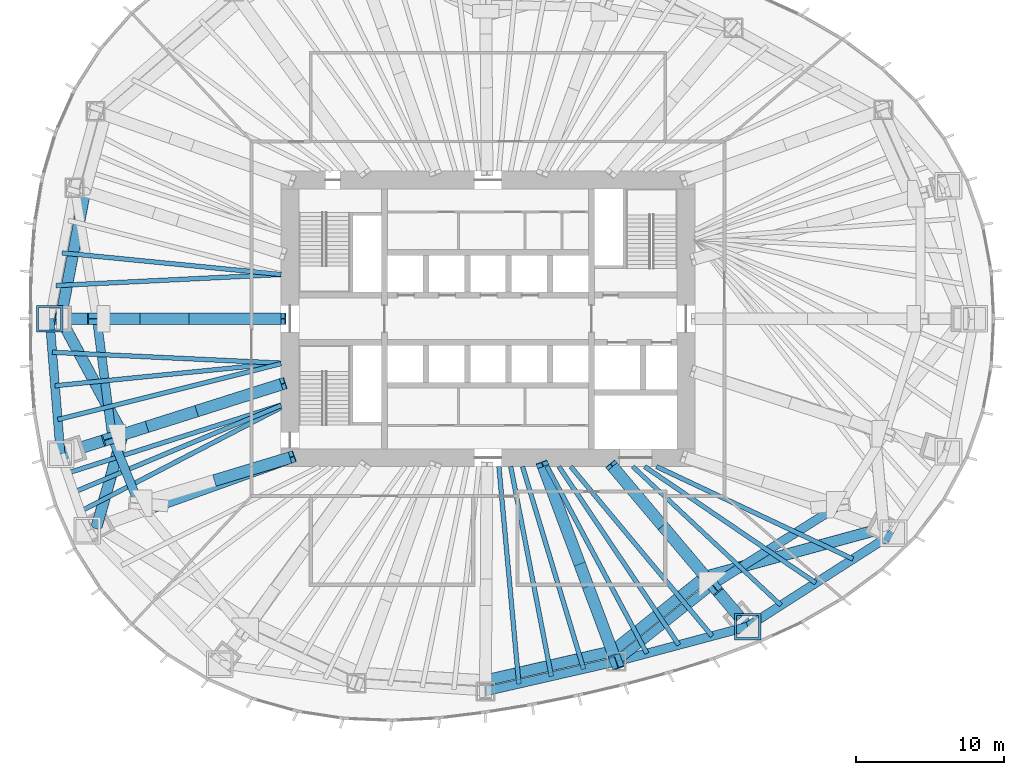
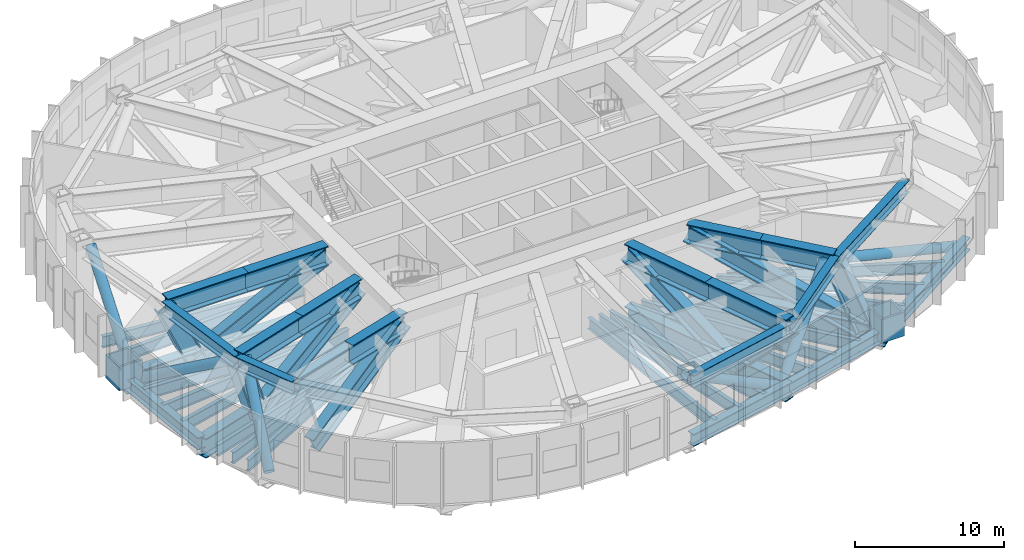
# One storey, part 2 of 12: 35 members, 21 beams.
"""IFC4 building model written with IfcOpenShell, lengths in metres."""

import ifcopenshell
import ifcopenshell.guid

model = None  # the IFC model being written
_history = None  # IfcOwnerHistory: only IFC2X3 demands one
_inside = {}  # id of a spatial element -> (the spatial element, [elements in it])
_under = {}  # id of a project, library or spatial element -> (it, [spatial elements below it])
_declared = {}  # id of a project -> (the project, [libraries it declares])
_typed = {}  # id of a type object -> (the type object, [elements of that type])
_made_of = {}  # id of a material, layer set ... -> (it, [elements and type objects made of it])


def new_model(schema):
    """Start an empty IFC model of exactly this schema.

    Asked for "IFC4X3", IfcOpenShell would pick the latest addendum, in which some entities
    have other attributes; the version numbers below select the first issue.
    IFC2X3 requires an IfcOwnerHistory on every rooted entity: one is made here for all.
    """
    global model, _history
    if schema == "IFC4X3":
        model = ifcopenshell.file(schema_version=(4, 3, 0, 0))
    else:
        model = ifcopenshell.file(schema=schema)
    _inside.clear()
    _under.clear()
    _declared.clear()
    _typed.clear()
    _made_of.clear()
    _history = None
    if model.schema == "IFC2X3":
        org = make("IfcOrganization", Name="unknown")
        user = make(
            "IfcPersonAndOrganization",
            ThePerson=make("IfcPerson", FamilyName="unknown"),
            TheOrganization=org,
        )
        app = make(
            "IfcApplication",
            ApplicationDeveloper=org,
            Version="unknown",
            ApplicationFullName="unknown",
            ApplicationIdentifier="unknown",
        )
        _history = make(
            "IfcOwnerHistory",
            OwningUser=user,
            OwningApplication=app,
            ChangeAction="ADDED",
            CreationDate=0,
        )
    return model


def make(cls, **values):
    """One entity of the class cls with the attributes given. An attribute that is None is left unset."""
    return model.create_entity(
        cls, **{name: value for name, value in values.items() if value is not None}
    )


def rooted(cls, **values):
    """An entity with a GlobalId (a new one), such as an element, a storey or a relation."""
    return make(cls, GlobalId=ifcopenshell.guid.new(), OwnerHistory=_history, **values)


def si_unit(unit_type, name, prefix=None):
    """IfcSIUnit, for example si_unit("LENGTHUNIT", "METRE", prefix="MILLI")."""
    return make("IfcSIUnit", UnitType=unit_type, Prefix=prefix, Name=name)


def assignment(units):
    """IfcUnitAssignment: the units of a project."""
    return None if units is None else make("IfcUnitAssignment", Units=units)


def point(xyz):
    """IfcCartesianPoint."""
    return None if xyz is None else make("IfcCartesianPoint", Coordinates=xyz)


def direction(xyz):
    """IfcDirection."""
    return None if xyz is None else make("IfcDirection", DirectionRatios=xyz)


def frame(location, z_axis=None, x_axis=None):
    """IfcAxis2Placement3D, a coordinate frame: its origin and axes. An axis left out is left unset."""
    return make(
        "IfcAxis2Placement3D",
        Location=point(location),
        Axis=direction(z_axis),
        RefDirection=direction(x_axis),
    )


def frame_2d(location, x_axis=None):
    """IfcAxis2Placement2D, a coordinate frame in the plane: its origin and x axis."""
    return make(
        "IfcAxis2Placement2D", Location=point(location), RefDirection=direction(x_axis)
    )


def origin():
    """The frame at (0, 0, 0) with its axes left unset."""
    return frame((0.0, 0.0, 0.0))


def origin_2d():
    """The frame at (0, 0) in the plane with its x axis left unset."""
    return frame_2d((0.0, 0.0))


def place(relative_to, where):
    """IfcLocalPlacement: puts the frame where relative to a parent placement (None: the world)."""
    return make(
        "IfcLocalPlacement", PlacementRelTo=relative_to, RelativePlacement=where
    )


def context(
    kind, dimensions, precision=None, world=None, true_north=None, identifier=None
):
    """IfcGeometricRepresentationContext, for example the 3D "Model" context."""
    return make(
        "IfcGeometricRepresentationContext",
        ContextIdentifier=identifier,
        ContextType=kind,
        CoordinateSpaceDimension=dimensions,
        Precision=precision,
        WorldCoordinateSystem=world,
        TrueNorth=true_north,
    )


def subcontext(parent, identifier, kind, view, scale=None):
    """IfcGeometricRepresentationSubContext, for example "Body" below "Model"."""
    return make(
        "IfcGeometricRepresentationSubContext",
        ContextIdentifier=identifier,
        ContextType=kind,
        ParentContext=parent,
        TargetScale=scale,
        TargetView=view,
    )


def project(units=None, contexts=None):
    """IfcProject with its units and contexts."""
    return rooted(
        "IfcProject",
        Name="project",
        RepresentationContexts=contexts,
        UnitsInContext=assignment(units),
    )


def spatial(cls, under=None, at=None, **own):
    """A site, building, storey or space (cls), placed at a placement, below another one or the project."""
    s = rooted(cls, ObjectPlacement=at, **own)
    if under is not None:
        _under.setdefault(under.id(), (under, []))[1].append(s)
    return s


def profile(cls, at=None, kind="AREA", **sizes):
    """A parametric profile (cls). Its sizes go by their IFC names, for example OverallWidth=200.0."""
    return make(cls, ProfileType=kind, Position=at, **sizes)


def hollow_rectangle(**sizes):
    """IfcRectangleHollowProfileDef."""
    return profile("IfcRectangleHollowProfileDef", **sizes)


def hollow_circle(**sizes):
    """IfcCircleHollowProfileDef."""
    return profile("IfcCircleHollowProfileDef", **sizes)


def i_section(**sizes):
    """IfcIShapeProfileDef."""
    return profile("IfcIShapeProfileDef", **sizes)


def extrude(swept, where, along, depth):
    """IfcExtrudedAreaSolid: the profile swept, set in the frame where, extruded along a direction by depth."""
    return make(
        "IfcExtrudedAreaSolid",
        SweptArea=swept,
        Position=where,
        ExtrudedDirection=direction(along),
        Depth=depth,
    )


def shape(context_of_items, identifier, shape_type, items):
    """IfcShapeRepresentation: the items that make up one representation, for example the "Body"."""
    return make(
        "IfcShapeRepresentation",
        ContextOfItems=context_of_items,
        RepresentationIdentifier=identifier,
        RepresentationType=shape_type,
        Items=items,
    )


def material(Name=None, Category=None):
    """IfcMaterial."""
    return make("IfcMaterial", Name=Name, Category=Category)


def material_profile(
    of_material, cross_section, Name=None, Category=None, Priority=None
):
    """IfcMaterialProfile: a cross section and its material."""
    return make(
        "IfcMaterialProfile",
        Name=Name,
        Material=of_material,
        Profile=cross_section,
        Priority=Priority,
        Category=Category,
    )


def profile_set(profiles, Name=None, composite=None):
    """IfcMaterialProfileSet."""
    return make(
        "IfcMaterialProfileSet",
        Name=Name,
        MaterialProfiles=profiles,
        CompositeProfile=composite,
    )


def made_of(thing, what):
    """Note that an element or type object is made of a material, layer set ...; save() writes the relation."""
    if what is not None:
        _made_of.setdefault(what.id(), (what, []))[1].append(thing)
    return thing


def type_object(cls, material=None, **own):
    """A type object (cls), such as IfcWallType, which elements share."""
    return made_of(rooted(cls, **own), material)


def element(
    cls,
    number,
    at=None,
    inside=None,
    cuts=None,
    type_object=None,
    material=None,
    context=None,
    identifier="Body",
    shape_type=None,
    held_by="IfcProductDefinitionShape",
    body=None,
    shapes=None,
    **own,
):
    """One element of the class cls, such as IfcWall. Its Tag is "e" and its number.

    at: its placement. inside: the storey or other place that contains it. cuts: it is an
    opening in that element (IfcRelVoidsElement). A single representation is given by context,
    identifier, shape_type and body (its items); several are given by shapes. held_by: the class
    of the entity that holds the representations. save() writes the other relations.
    """
    e = rooted(cls, Tag="e%d" % number, ObjectPlacement=at, **own)
    if body is not None:
        shapes = [shape(context, identifier, shape_type, body)]
    if shapes is not None:
        e.Representation = make(held_by, Representations=shapes)
    if inside is not None:
        _inside.setdefault(inside.id(), (inside, []))[1].append(e)
    if cuts is not None:
        rooted(
            "IfcRelVoidsElement", RelatingBuildingElement=cuts, RelatedOpeningElement=e
        )
    if type_object is not None:
        _typed.setdefault(type_object.id(), (type_object, []))[1].append(e)
    return made_of(e, material)


def aggregate(whole, parts):
    """IfcRelAggregates: a whole, such as a stair, and the parts it consists of."""
    return rooted("IfcRelAggregates", RelatingObject=whole, RelatedObjects=parts)


def save(model, path):
    """Write the relations noted so far, then the file.

    IfcRelAggregates (storeys below a building ...), IfcRelContainedInSpatialStructure (elements
    in a storey), IfcRelDefinesByType, IfcRelAssociatesMaterial and IfcRelDeclares: one each for
    every whole, place, type object, material and project.
    """
    for whole, parts in _under.values():
        aggregate(whole, parts)
    for where, things in _inside.values():
        rooted(
            "IfcRelContainedInSpatialStructure",
            RelatedElements=things,
            RelatingStructure=where,
        )
    for kind, things in _typed.values():
        rooted("IfcRelDefinesByType", RelatedObjects=things, RelatingType=kind)
    for what, things in _made_of.values():
        rooted("IfcRelAssociatesMaterial", RelatedObjects=things, RelatingMaterial=what)
    for by, libraries in _declared.values():
        rooted("IfcRelDeclares", RelatingContext=by, RelatedDefinitions=libraries)
    model.write(path)


model = new_model("IFC4")

# Units and contexts
model_context = context("Model", 3, precision=1e-05, world=origin(), true_north=direction((0.0, 1.0)))
body_context = subcontext(model_context, "Body", "Model", "MODEL_VIEW")
ifc_project = project(units=[si_unit("LENGTHUNIT", "METRE"), si_unit("AREAUNIT", "SQUARE_METRE"), si_unit("VOLUMEUNIT", "CUBIC_METRE"), si_unit("PLANEANGLEUNIT", "RADIAN"), si_unit("MASSUNIT", "GRAM", prefix="KILO")], contexts=[model_context])

# Site, building, storey
site_placement = place(None, origin())
site = spatial("IfcSite", under=ifc_project, at=site_placement, CompositionType="ELEMENT")
building_placement = place(site_placement, origin())
building = spatial("IfcBuilding", under=site, at=building_placement, Name="Ghaith Harvest Tower", CompositionType="ELEMENT")
storey_placement = place(building_placement, frame((0.0, 0.0, 100.0)))
storey = spatial("IfcBuildingStorey", under=building, at=storey_placement, Name="L20", CompositionType="ELEMENT", Elevation=100.0)

# Members
ifc_material_1 = material(Name="Steel S460", Category="steel")
ifc_material_profile_1 = material_profile(ifc_material_1, i_section(OverallWidth=0.60009765625, OverallDepth=1.0, WebThickness=0.02490234375, FlangeThickness=0.050048828125, at=origin_2d()), Name="PG1000X600X25X50")
ifc_profile_set_1 = profile_set([ifc_material_profile_1], Name="Steel S460")
member_type_1 = type_object("IfcMemberType", Name="BCPG1000-600-25-50 PG1000X600X25X50", PredefinedType="CHORD", material=ifc_profile_set_1)
member_1_placement = place(storey_placement, frame((-26.47509765625, 0.0, 4.030029296875), z_axis=(0.127841715048, -0.991794583517, 0.0), x_axis=(0.991794583517, 0.127841715048, 0.0)))
element("IfcMember", 1, at=member_1_placement, inside=storey, type_object=member_type_1, Name="Belt truss BT11 top chord", PredefinedType="CHORD", context=body_context, shape_type="SweptSolid", body=[
    extrude(i_section(OverallWidth=0.60009765625, OverallDepth=1.0, WebThickness=0.02490234375, FlangeThickness=0.050048828125, at=origin_2d()), origin(), (0.0, 0.0, 1.0), 8.127685546875),
])
member_2_placement = place(storey_placement, frame((-25.43603515625, -8.06103515625, 4.030029296875), z_axis=(0.376479712052, -0.9264248628, 0.0), x_axis=(0.9264248628, 0.376479712052, 0.0)))
element("IfcMember", 2, at=member_2_placement, inside=storey, type_object=member_type_1, Name="Belt truss BT12 top chord", PredefinedType="CHORD", context=body_context, shape_type="SweptSolid", body=[
    extrude(i_section(OverallWidth=0.60009765625, OverallDepth=1.0, WebThickness=0.02490234375, FlangeThickness=0.050048828125, at=origin_2d()), origin(), (0.0, 0.0, 1.0), 4.783935546875),
])
member_3_placement = place(storey_placement, frame((-0.173095703125, -25.22412109375, 4.030029296875), z_axis=(0.974881709383, 0.22272326486, 0.0), x_axis=(-0.22272326486, 0.974881709383, 0.0)))
element("IfcMember", 3, at=member_3_placement, inside=storey, type_object=member_type_1, Name="Belt truss BT16 top chord", PredefinedType="CHORD", context=body_context, shape_type="SweptSolid", body=[
    extrude(i_section(OverallWidth=0.60009765625, OverallDepth=1.0, WebThickness=0.02490234375, FlangeThickness=0.050048828125, at=origin_2d()), origin(), (0.0, 0.0, 1.0), 9.0751953125),
])
member_4_placement = place(storey_placement, frame((8.674072265625, -23.202880859375, 4.030029296875), z_axis=(0.783159540917, 0.621820821033, 0.0), x_axis=(-0.621820821033, 0.783159540917, 0.0)))
element("IfcMember", 4, at=member_4_placement, inside=storey, type_object=member_type_1, Name="Belt truss BT17 top chord", PredefinedType="CHORD", context=body_context, shape_type="SweptSolid", body=[
    extrude(i_section(OverallWidth=0.60009765625, OverallDepth=1.0, WebThickness=0.02490234375, FlangeThickness=0.050048828125, at=origin_2d()), origin(), (0.0, 0.0, 1.0), 8.330322265625),
])
member_5_placement = place(storey_placement, frame((15.197998046875, -18.02294921875, 4.030029296875), z_axis=(0.846385185363, 0.532571232793, 0.0), x_axis=(-0.532571232793, 0.846385185363, 0.0)))
element("IfcMember", 5, at=member_5_placement, inside=storey, type_object=member_type_1, Name="Belt truss BT18 top chord", PredefinedType="CHORD", context=body_context, shape_type="SweptSolid", body=[
    extrude(i_section(OverallWidth=0.60009765625, OverallDepth=1.0, WebThickness=0.02490234375, FlangeThickness=0.050048828125, at=origin_2d()), origin(), (0.0, 0.0, 1.0), 10.19384765625),
])
ifc_material_2 = material(Name="Steel ASTM A992 Grade 50", Category="steel")
ifc_material_profile_2 = material_profile(ifc_material_2, hollow_circle(Radius=0.381103515625, WallThickness=0.01904296875, at=origin_2d()), Name="HSS762X19.1")
ifc_profile_set_2 = profile_set([ifc_material_profile_2], Name="Steel ASTM A992 Grade 50")
member_type_2 = type_object("IfcMemberType", Name="BD762 HSS762X19.1", PredefinedType="BRACE", material=ifc_profile_set_2)
member_6_placement = place(storey_placement, frame((-27.26806640625, 8.641357421875, 4.030029296875), z_axis=(-0.162686445373, -0.848428869011, -0.503687973571), x_axis=(0.982107833245, -0.188319419812, 0.0)))
element("IfcMember", 6, at=member_6_placement, inside=storey, type_object=member_type_2, Name="Belt truss BT10 diagonal", PredefinedType="BRACE", context=body_context, shape_type="SweptSolid", body=[
    extrude(hollow_circle(Radius=0.381103515625, WallThickness=0.01904296875, at=origin_2d()), origin(), (0.0, 0.0, 1.0), 10.18505859375),
])
member_7_placement = place(storey_placement, frame((-28.925048828125, 0.0, -1.10009765625), z_axis=(0.4095541596, -0.763216781741, 0.499765479424), x_axis=(0.881149106783, 0.472838504793, 0.0)))
element("IfcMember", 7, at=member_7_placement, inside=storey, type_object=member_type_2, Name="Belt truss BT11 diagonal", PredefinedType="BRACE", context=body_context, shape_type="SweptSolid", body=[
    extrude(hollow_circle(Radius=0.381103515625, WallThickness=0.01904296875, at=origin_2d()), origin(), (0.0, 0.0, 1.0), 10.26513671875),
])
member_8_placement = place(storey_placement, frame((-24.720947265625, -7.83447265625, 4.030029296875), z_axis=(-0.213128467062, -0.750563449296, -0.625484424353), x_axis=(0.961968969649, -0.273158747677, 0.0)))
element("IfcMember", 8, at=member_8_placement, inside=storey, type_object=member_type_2, Name="Belt truss BT12 diagonal", PredefinedType="BRACE", context=body_context, shape_type="SweptSolid", body=[
    extrude(hollow_circle(Radius=0.381103515625, WallThickness=0.01904296875, at=origin_2d()), origin(), (0.0, 0.0, 1.0), 8.201904296875),
])
member_9_placement = place(storey_placement, frame((-0.16796875, -24.47412109375, 4.030029296875), z_axis=(0.842008702889, 0.19369962022, -0.50348962391), x_axis=(-0.224189045109, 0.974545674688, 0.0)))
element("IfcMember", 9, at=member_9_placement, inside=storey, type_object=member_type_2, Name="Belt truss BT16 diagonal", PredefinedType="BRACE", context=body_context, shape_type="SweptSolid", body=[
    extrude(hollow_circle(Radius=0.381103515625, WallThickness=0.01904296875, at=origin_2d()), origin(), (0.0, 0.0, 1.0), 10.189208984375),
])
member_10_placement = place(storey_placement, frame((8.411376953125, -22.50048828125, -1.10009765625), z_axis=(0.658736352818, 0.527846373348, 0.53613862351), x_axis=(-0.625314114143, 0.780373153468, 0.0)))
element("IfcMember", 10, at=member_10_placement, inside=storey, type_object=member_type_2, Name="Belt truss BT17 diagonal", PredefinedType="BRACE", context=body_context, shape_type="SweptSolid", body=[
    extrude(hollow_circle(Radius=0.381103515625, WallThickness=0.01904296875, at=origin_2d()), origin(), (0.0, 0.0, 1.0), 9.568603515625),
])
member_11_placement = place(storey_placement, frame((14.714599609375, -17.44970703125, 4.030029296875), z_axis=(0.892660749577, 0.243385639614, -0.379368180788), x_axis=(-0.263049711342, 0.964782280809, 0.0)))
element("IfcMember", 11, at=member_11_placement, inside=storey, type_object=member_type_2, Name="Belt truss BT18 diagonal", PredefinedType="BRACE", context=body_context, shape_type="SweptSolid", body=[
    extrude(hollow_circle(Radius=0.381103515625, WallThickness=0.01904296875, at=origin_2d()), origin(), (0.0, 0.0, 1.0), 13.522705078125),
])

# Beams
ifc_material_3 = material(Name="Steel S460", Category="steel")
ifc_material_profile_3 = material_profile(ifc_material_3, i_section(OverallWidth=0.60009765625, OverallDepth=1.0, WebThickness=0.02490234375, FlangeThickness=0.050048828125, at=origin_2d()), Name="PG1000X600X25X50")
ifc_profile_set_3 = profile_set([ifc_material_profile_3], Name="Steel S460")
beam_type_1 = type_object("IfcBeamType", Name="EPG1000 PG1000X600X25X50", PredefinedType="SPANDREL", material=ifc_profile_set_3)
beam_1_placement = place(storey_placement, frame((-29.675048828125, 0.0, -0.800048828125), z_axis=(0.081006863421, -0.996713543642, 0.0), x_axis=(0.996713543642, 0.081006863421, 0.0)))
element("IfcBeam", 12, at=beam_1_placement, inside=storey, type_object=beam_type_1, Name="Edge beam E11 L20", PredefinedType="SPANDREL", context=body_context, shape_type="SweptSolid", body=[
    extrude(i_section(OverallWidth=0.60009765625, OverallDepth=1.0, WebThickness=0.02490234375, FlangeThickness=0.050048828125, at=origin_2d()), origin(), (0.0, 0.0, 1.0), 9.1982421875),
])
beam_2_placement = place(storey_placement, frame((-0.173095703125, -25.22412109375, -0.800048828125), z_axis=(0.974881709383, 0.22272326486, 0.0), x_axis=(-0.22272326486, 0.974881709383, 0.0)))
element("IfcBeam", 13, at=beam_2_placement, inside=storey, type_object=beam_type_1, Name="Edge beam E16 L20", PredefinedType="SPANDREL", context=body_context, shape_type="SweptSolid", body=[
    extrude(i_section(OverallWidth=0.60009765625, OverallDepth=1.0, WebThickness=0.02490234375, FlangeThickness=0.050048828125, at=origin_2d()), origin(), (0.0, 0.0, 1.0), 9.0751953125),
])
beam_3_placement = place(storey_placement, frame((8.674072265625, -23.202880859375, -0.800048828125), z_axis=(0.966419097109, 0.256971065963, 0.0), x_axis=(-0.256971065963, 0.966419097109, 0.0)))
element("IfcBeam", 14, at=beam_3_placement, inside=storey, type_object=beam_type_1, Name="Edge beam E17 L20", PredefinedType="SPANDREL", context=body_context, shape_type="SweptSolid", body=[
    extrude(i_section(OverallWidth=0.60009765625, OverallDepth=1.0, WebThickness=0.02490234375, FlangeThickness=0.050048828125, at=origin_2d()), origin(), (0.0, 0.0, 1.0), 9.20703125),
])
beam_4_placement = place(storey_placement, frame((17.572021484375, -20.8369140625, -0.800048828125), z_axis=(0.842014649705, 0.539454659524, 0.0), x_axis=(-0.539454659524, 0.842014649705, 0.0)))
element("IfcBeam", 15, at=beam_4_placement, inside=storey, type_object=beam_type_1, Name="Edge beam E18 L20", PredefinedType="SPANDREL", context=body_context, shape_type="SweptSolid", body=[
    extrude(i_section(OverallWidth=0.60009765625, OverallDepth=1.0, WebThickness=0.02490234375, FlangeThickness=0.050048828125, at=origin_2d()), origin(), (0.0, 0.0, 1.0), 11.730224609375),
])
ifc_material_4 = material(Name="Steel ASTM A992 Grade 50", Category="steel")
ifc_material_profile_4 = material_profile(ifc_material_4, i_section(OverallWidth=0.2939453125, OverallDepth=0.85107421875, WebThickness=0.01611328125, FlangeThickness=0.02685546875, at=origin_2d()), Name="W840X226")
ifc_profile_set_4 = profile_set([ifc_material_profile_4], Name="Steel ASTM A992 Grade 50")
beam_type_2 = type_object("IfcBeamType", Name="J840-226 W840X226", PredefinedType="JOIST", material=ifc_profile_set_4)
beam_5_placement = place(storey_placement, frame((9.800048828125, -10.0, -0.7255859375), z_axis=(0.72994990542, -0.683500647825, 0.0), x_axis=(0.683500647825, 0.72994990542, 0.0)))
element("IfcBeam", 16, at=beam_5_placement, inside=storey, type_object=beam_type_2, Name="Joist J18.1 L20", PredefinedType="JOIST", context=body_context, shape_type="SweptSolid", body=[
    extrude(i_section(OverallWidth=0.2939453125, OverallDepth=0.85107421875, WebThickness=0.01611328125, FlangeThickness=0.02685546875, at=origin_2d()), origin(), (0.0, 0.0, 1.0), 13.7392578125),
])
ifc_material_5 = material(Name="Steel ASTM A992 Grade 50", Category="steel")
ifc_material_profile_5 = material_profile(ifc_material_5, i_section(OverallWidth=0.31005859375, OverallDepth=0.927001953125, WebThickness=0.019287109375, FlangeThickness=0.031982421875, at=origin_2d()), Name="W920X289")
ifc_profile_set_5 = profile_set([ifc_material_profile_5], Name="Steel ASTM A992 Grade 50")
beam_type_3 = type_object("IfcBeamType", Name="J920-289 W920X289", PredefinedType="JOIST", material=ifc_profile_set_5)
beam_6_placement = place(storey_placement, frame((-14.0, 3.0, -0.763427734375), z_axis=(-0.995196704135, 0.097895454848, 0.0), x_axis=(-0.097895454848, -0.995196704135, 0.0)))
element("IfcBeam", 17, at=beam_6_placement, inside=storey, type_object=beam_type_3, Name="Joist J10.2 L20", PredefinedType="JOIST", context=body_context, shape_type="SweptSolid", body=[
    extrude(i_section(OverallWidth=0.31005859375, OverallDepth=0.927001953125, WebThickness=0.019287109375, FlangeThickness=0.031982421875, at=origin_2d()), origin(), (0.0, 0.0, 1.0), 14.89599609375),
])
beam_7_placement = place(storey_placement, frame((-14.0, 3.0, -0.763427734375), z_axis=(-0.998786719067, -0.049245200935, 0.0), x_axis=(0.049245200935, -0.998786719067, 0.0)))
element("IfcBeam", 18, at=beam_7_placement, inside=storey, type_object=beam_type_3, Name="Joist J10.3 L20", PredefinedType="JOIST", context=body_context, shape_type="SweptSolid", body=[
    extrude(i_section(OverallWidth=0.31005859375, OverallDepth=0.927001953125, WebThickness=0.019287109375, FlangeThickness=0.031982421875, at=origin_2d()), origin(), (0.0, 0.0, 1.0), 15.2646484375),
])
beam_8_placement = place(storey_placement, frame((-14.0, -3.0, -0.763427734375), z_axis=(-0.998882622952, 0.047259978473, 0.0), x_axis=(-0.047259978473, -0.998882622952, 0.0)))
element("IfcBeam", 19, at=beam_8_placement, inside=storey, type_object=beam_type_3, Name="Joist J11.1 L20", PredefinedType="JOIST", context=body_context, shape_type="SweptSolid", body=[
    extrude(i_section(OverallWidth=0.31005859375, OverallDepth=0.927001953125, WebThickness=0.019287109375, FlangeThickness=0.031982421875, at=origin_2d()), origin(), (0.0, 0.0, 1.0), 15.508056640625),
])
beam_9_placement = place(storey_placement, frame((-14.0, -3.0, -0.763427734375), z_axis=(-0.995023982133, -0.099635711366, 0.0), x_axis=(0.099635711366, -0.995023982133, 0.0)))
element("IfcBeam", 20, at=beam_9_placement, inside=storey, type_object=beam_type_3, Name="Joist J11.2 L20", PredefinedType="JOIST", context=body_context, shape_type="SweptSolid", body=[
    extrude(i_section(OverallWidth=0.31005859375, OverallDepth=0.927001953125, WebThickness=0.019287109375, FlangeThickness=0.031982421875, at=origin_2d()), origin(), (0.0, 0.0, 1.0), 15.38330078125),
])
beam_10_placement = place(storey_placement, frame((-14.0, -3.036865234375, -0.763427734375), z_axis=(-0.970037378718, -0.242955724136, 0.0), x_axis=(0.242955724136, -0.970037378718, 0.0)))
element("IfcBeam", 21, at=beam_10_placement, inside=storey, type_object=beam_type_3, Name="Joist J11.3 L20", PredefinedType="JOIST", context=body_context, shape_type="SweptSolid", body=[
    extrude(i_section(OverallWidth=0.31005859375, OverallDepth=0.927001953125, WebThickness=0.019287109375, FlangeThickness=0.031982421875, at=origin_2d()), origin(), (0.0, 0.0, 1.0), 15.587646484375),
])
beam_11_placement = place(storey_placement, frame((-14.0, -5.8369140625, -0.763427734375), z_axis=(-0.952770200238, -0.303692188802, 0.0), x_axis=(0.303692188802, -0.952770200238, 0.0)))
element("IfcBeam", 22, at=beam_11_placement, inside=storey, type_object=beam_type_3, Name="Joist J12.1 L20", PredefinedType="JOIST", context=body_context, shape_type="SweptSolid", body=[
    extrude(i_section(OverallWidth=0.31005859375, OverallDepth=0.927001953125, WebThickness=0.019287109375, FlangeThickness=0.031982421875, at=origin_2d()), origin(), (0.0, 0.0, 1.0), 15.201171875),
])
beam_12_placement = place(storey_placement, frame((-14.0, -5.862548828125, -0.763427734375), z_axis=(-0.922389547545, -0.386260951404, 0.0), x_axis=(0.386260951404, -0.922389547545, 0.0)))
element("IfcBeam", 23, at=beam_12_placement, inside=storey, type_object=beam_type_3, Name="Joist J12.2 L20", PredefinedType="JOIST", context=body_context, shape_type="SweptSolid", body=[
    extrude(i_section(OverallWidth=0.31005859375, OverallDepth=0.927001953125, WebThickness=0.019287109375, FlangeThickness=0.031982421875, at=origin_2d()), origin(), (0.0, 0.0, 1.0), 15.216796875),
])
beam_13_placement = place(storey_placement, frame((-14.0, -6.0, -0.763427734375), z_axis=(-0.888028500963, -0.459788409464, 0.0), x_axis=(0.459788409464, -0.888028500963, 0.0)))
element("IfcBeam", 24, at=beam_13_placement, inside=storey, type_object=beam_type_3, Name="Joist J12.3 L20", PredefinedType="JOIST", context=body_context, shape_type="SweptSolid", body=[
    extrude(i_section(OverallWidth=0.31005859375, OverallDepth=0.927001953125, WebThickness=0.019287109375, FlangeThickness=0.031982421875, at=origin_2d()), origin(), (0.0, 0.0, 1.0), 15.29931640625),
])
beam_14_placement = place(storey_placement, frame((0.73828125, -10.0, -0.763427734375), z_axis=(0.091379298998, -0.995816159597, 0.0), x_axis=(0.995816159597, 0.091379298998, 0.0)))
element("IfcBeam", 25, at=beam_14_placement, inside=storey, type_object=beam_type_3, Name="Joist J16.1 L20", PredefinedType="JOIST", context=body_context, shape_type="SweptSolid", body=[
    extrude(i_section(OverallWidth=0.31005859375, OverallDepth=0.927001953125, WebThickness=0.019287109375, FlangeThickness=0.031982421875, at=origin_2d()), origin(), (0.0, 0.0, 1.0), 14.769287109375),
])
beam_15_placement = place(storey_placement, frame((1.538330078125, -10.0, -0.763427734375), z_axis=(0.190235964894, -0.981738395735, 0.0), x_axis=(0.981738395735, 0.190235964894, 0.0)))
element("IfcBeam", 26, at=beam_15_placement, inside=storey, type_object=beam_type_3, Name="Joist J16.2 L20", PredefinedType="JOIST", context=body_context, shape_type="SweptSolid", body=[
    extrude(i_section(OverallWidth=0.31005859375, OverallDepth=0.927001953125, WebThickness=0.019287109375, FlangeThickness=0.031982421875, at=origin_2d()), origin(), (0.0, 0.0, 1.0), 14.468505859375),
])
beam_16_placement = place(storey_placement, frame((2.33837890625, -10.0, -0.763427734375), z_axis=(0.288890171312, -0.957362245401, 0.0), x_axis=(0.957362245401, 0.288890171312, 0.0)))
element("IfcBeam", 27, at=beam_16_placement, inside=storey, type_object=beam_type_3, Name="Joist J16.3 L20", PredefinedType="JOIST", context=body_context, shape_type="SweptSolid", body=[
    extrude(i_section(OverallWidth=0.31005859375, OverallDepth=0.927001953125, WebThickness=0.019287109375, FlangeThickness=0.031982421875, at=origin_2d()), origin(), (0.0, 0.0, 1.0), 14.31591796875),
])
beam_17_placement = place(storey_placement, frame((4.0, -10.0, -0.763427734375), z_axis=(0.471257866759, -0.881995477889, 0.0), x_axis=(0.881995477889, 0.471257866759, 0.0)))
element("IfcBeam", 28, at=beam_17_placement, inside=storey, type_object=beam_type_3, Name="Joist J17.1 L20", PredefinedType="JOIST", context=body_context, shape_type="SweptSolid", body=[
    extrude(i_section(OverallWidth=0.31005859375, OverallDepth=0.927001953125, WebThickness=0.019287109375, FlangeThickness=0.031982421875, at=origin_2d()), origin(), (0.0, 0.0, 1.0), 14.341064453125),
])
beam_18_placement = place(storey_placement, frame((4.800048828125, -10.0, -0.763427734375), z_axis=(0.557504914523, -0.830173638634, 0.0), x_axis=(0.830173638634, 0.557504914523, 0.0)))
element("IfcBeam", 29, at=beam_18_placement, inside=storey, type_object=beam_type_3, Name="Joist J17.2 L20", PredefinedType="JOIST", context=body_context, shape_type="SweptSolid", body=[
    extrude(i_section(OverallWidth=0.31005859375, OverallDepth=0.927001953125, WebThickness=0.019287109375, FlangeThickness=0.031982421875, at=origin_2d()), origin(), (0.0, 0.0, 1.0), 14.547119140625),
])
beam_19_placement = place(storey_placement, frame((5.60009765625, -10.0, -0.763427734375), z_axis=(0.64028725889, -0.768135551907, 0.0), x_axis=(0.768135551907, 0.64028725889, 0.0)))
element("IfcBeam", 30, at=beam_19_placement, inside=storey, type_object=beam_type_3, Name="Joist J17.3 L20", PredefinedType="JOIST", context=body_context, shape_type="SweptSolid", body=[
    extrude(i_section(OverallWidth=0.31005859375, OverallDepth=0.927001953125, WebThickness=0.019287109375, FlangeThickness=0.031982421875, at=origin_2d()), origin(), (0.0, 0.0, 1.0), 14.94091796875),
])
beam_20_placement = place(storey_placement, frame((10.60009765625, -10.0, -0.763427734375), z_axis=(0.826982555637, -0.562227580853, 0.0), x_axis=(0.562227580853, 0.826982555637, 0.0)))
element("IfcBeam", 31, at=beam_20_placement, inside=storey, type_object=beam_type_3, Name="Joist J18.2 L20", PredefinedType="JOIST", context=body_context, shape_type="SweptSolid", body=[
    extrude(i_section(OverallWidth=0.31005859375, OverallDepth=0.927001953125, WebThickness=0.019287109375, FlangeThickness=0.031982421875, at=origin_2d()), origin(), (0.0, 0.0, 1.0), 14.013671875),
])
beam_21_placement = place(storey_placement, frame((11.39990234375, -10.0, -0.763427734375), z_axis=(0.904709580205, -0.426028843489, 0.0), x_axis=(0.426028843489, 0.904709580205, 0.0)))
element("IfcBeam", 32, at=beam_21_placement, inside=storey, type_object=beam_type_3, Name="Joist J18.3 L20", PredefinedType="JOIST", context=body_context, shape_type="SweptSolid", body=[
    extrude(i_section(OverallWidth=0.31005859375, OverallDepth=0.927001953125, WebThickness=0.019287109375, FlangeThickness=0.031982421875, at=origin_2d()), origin(), (0.0, 0.0, 1.0), 14.708251953125),
])

# Members
ifc_material_6 = material(Name="Steel S690QL", Category="steel")
ifc_material_profile_6 = material_profile(ifc_material_6, hollow_rectangle(XDim=1.800048828125, YDim=1.800048828125, WallThickness=0.14990234375, at=origin_2d()), Name="BOX1800X1800X150")
ifc_profile_set_6 = profile_set([ifc_material_profile_6], Name="Steel S690QL")
member_type_3 = type_object("IfcMemberType", Name="KN3 BOX1800X1800X150", PredefinedType="USERDEFINED", material=ifc_profile_set_6)
for number, where, z_axis, x_axis, name in (
    (33, (-29.675048828125, 0.0, -0.97509765625), (0.0, 0.0, 1.0), (1.0, 0.0, 0.0), "Raked column kink node C11 base L20"),
    (34, (17.572021484375, -20.8369140625, -0.97509765625), (0.0, 0.0, 1.0), (1.0, 0.0, 0.0), "Raked column kink node C18 base L20"),
):
    element("IfcMember", number, at=place(storey_placement, frame(where, z_axis=z_axis, x_axis=x_axis)), inside=storey, type_object=member_type_3, Name=name, ObjectType="KINK NODE", PredefinedType="USERDEFINED", context=body_context, shape_type="SweptSolid", body=[
        extrude(hollow_rectangle(XDim=1.800048828125, YDim=1.800048828125, WallThickness=0.14990234375, at=origin_2d()), origin(), (0.0, 0.0, 1.0), 1.9501953125),
    ])
ifc_material_7 = material(Name="Steel S460", Category="steel")
ifc_material_profile_7 = material_profile(ifc_material_7, i_section(OverallWidth=0.800048828125, OverallDepth=1.60009765625, WebThickness=0.0400390625, FlangeThickness=0.080078125, at=origin_2d()), Name="PG1600X800X40X80")
ifc_profile_set_7 = profile_set([ifc_material_profile_7], Name="Steel S460")
member_type_4 = type_object("IfcMemberType", Name="OC1600 PG1600X800X40X80", PredefinedType="CHORD", material=ifc_profile_set_7)
member_12_placement = place(storey_placement, frame((-14.0, 0.0, -1.10009765625), z_axis=(-1.0, 0.0, 0.0), x_axis=(0.0, -1.0, 0.0)))
element("IfcMember", 35, at=member_12_placement, inside=storey, type_object=member_type_4, Name="Outrigger truss OT11 bottom chord", PredefinedType="CHORD", context=body_context, shape_type="SweptSolid", body=[
    extrude(i_section(OverallWidth=0.800048828125, OverallDepth=1.60009765625, WebThickness=0.0400390625, FlangeThickness=0.080078125, at=origin_2d()), origin(), (0.0, 0.0, 1.0), 15.675048828125),
])
for number, where, z_axis, x_axis, name in (
    (36, (-14.0, 0.0, 4.030029296875), (-1.0, 0.0, 0.0), (0.0, -1.0, 0.0), "Outrigger truss OT11 top chord 1"),
    (37, (-20.237548828125, 0.0, 4.030029296875), (-1.0, 0.0, 0.0), (0.0, -1.0, 0.0), "Outrigger truss OT11 top chord 2"),
):
    element("IfcMember", number, at=place(storey_placement, frame(where, z_axis=z_axis, x_axis=x_axis)), inside=storey, type_object=member_type_4, Name=name, PredefinedType="CHORD", context=body_context, shape_type="SweptSolid", body=[
        extrude(i_section(OverallWidth=0.800048828125, OverallDepth=1.60009765625, WebThickness=0.0400390625, FlangeThickness=0.080078125, at=origin_2d()), origin(), (0.0, 0.0, 1.0), 6.237548828125),
    ])
member_13_placement = place(storey_placement, frame((-14.0, -4.43701171875, -1.10009765625), z_axis=(-0.953284407194, -0.302074227636, 0.0), x_axis=(0.302074227636, -0.953284407194, 0.0)))
element("IfcMember", 38, at=member_13_placement, inside=storey, type_object=member_type_4, Name="Outrigger truss OT12 bottom chord", PredefinedType="CHORD", context=body_context, shape_type="SweptSolid", body=[
    extrude(i_section(OverallWidth=0.800048828125, OverallDepth=1.60009765625, WebThickness=0.0400390625, FlangeThickness=0.080078125, at=origin_2d()), origin(), (0.0, 0.0, 1.0), 15.66162109375),
])
for number, where, z_axis, x_axis, name in (
    (39, (-14.0, -4.43701171875, 4.030029296875), (-0.953291254114, -0.302052619307, 0.0), (0.302052619307, -0.953291254114, 0.0), "Outrigger truss OT12 top chord 1"),
    (40, (-19.718017578125, -6.248779296875, 4.030029296875), (-0.953267811778, -0.302126594374, 0.0), (0.302126594374, -0.953267811778, 0.0), "Outrigger truss OT12 top chord 2"),
):
    element("IfcMember", number, at=place(storey_placement, frame(where, z_axis=z_axis, x_axis=x_axis)), inside=storey, type_object=member_type_4, Name=name, PredefinedType="CHORD", context=body_context, shape_type="SweptSolid", body=[
        extrude(i_section(OverallWidth=0.800048828125, OverallDepth=1.60009765625, WebThickness=0.0400390625, FlangeThickness=0.080078125, at=origin_2d()), origin(), (0.0, 0.0, 1.0), 5.998291015625),
    ])
member_14_placement = place(storey_placement, frame((-13.39990234375, -9.39990234375, 4.030029296875), z_axis=(-0.957241134275, -0.289291221526, 0.0), x_axis=(0.289291221526, -0.957241134275, 0.0)))
element("IfcMember", 41, at=member_14_placement, inside=storey, type_object=member_type_4, Name="Outrigger truss OT13 top chord 1", PredefinedType="CHORD", context=body_context, shape_type="SweptSolid", body=[
    extrude(i_section(OverallWidth=0.800048828125, OverallDepth=1.60009765625, WebThickness=0.0400390625, FlangeThickness=0.080078125, at=origin_2d()), origin(), (0.0, 0.0, 1.0), 5.34619140625),
])
member_15_placement = place(storey_placement, frame((3.73828125, -10.0, -1.10009765625), z_axis=(0.350172283717, -0.936685310932, 0.0), x_axis=(0.936685310932, 0.350172283717, 0.0)))
element("IfcMember", 42, at=member_15_placement, inside=storey, type_object=member_type_4, Name="Outrigger truss OT17 bottom chord", PredefinedType="CHORD", context=body_context, shape_type="SweptSolid", body=[
    extrude(i_section(OverallWidth=0.800048828125, OverallDepth=1.60009765625, WebThickness=0.0400390625, FlangeThickness=0.080078125, at=origin_2d()), origin(), (0.0, 0.0, 1.0), 14.09521484375),
])
member_16_placement = place(storey_placement, frame((3.73828125, -10.0, 4.030029296875), z_axis=(0.350181799092, -0.936681753631, 0.0), x_axis=(0.936681753631, 0.350181799092, 0.0)))
element("IfcMember", 43, at=member_16_placement, inside=storey, type_object=member_type_4, Name="Outrigger truss OT17 top chord 1", PredefinedType="CHORD", context=body_context, shape_type="SweptSolid", body=[
    extrude(i_section(OverallWidth=0.800048828125, OverallDepth=1.60009765625, WebThickness=0.0400390625, FlangeThickness=0.080078125, at=origin_2d()), origin(), (0.0, 0.0, 1.0), 7.0478515625),
])
member_17_placement = place(storey_placement, frame((6.206298828125, -16.6015625, 4.030029296875), z_axis=(0.350162767881, -0.936688868296, 0.0), x_axis=(0.936688868296, 0.350162767881, 0.0)))
element("IfcMember", 44, at=member_17_placement, inside=storey, type_object=member_type_4, Name="Outrigger truss OT17 top chord 2", PredefinedType="CHORD", context=body_context, shape_type="SweptSolid", body=[
    extrude(i_section(OverallWidth=0.800048828125, OverallDepth=1.60009765625, WebThickness=0.0400390625, FlangeThickness=0.080078125, at=origin_2d()), origin(), (0.0, 0.0, 1.0), 7.047607421875),
])
member_18_placement = place(storey_placement, frame((8.4326171875, -10.0, -1.10009765625), z_axis=(0.644696130938, -0.764438943771, 0.0), x_axis=(0.764438943771, 0.644696130938, 0.0)))
element("IfcMember", 45, at=member_18_placement, inside=storey, type_object=member_type_4, Name="Outrigger truss OT18 bottom chord", PredefinedType="CHORD", context=body_context, shape_type="SweptSolid", body=[
    extrude(i_section(OverallWidth=0.800048828125, OverallDepth=1.60009765625, WebThickness=0.0400390625, FlangeThickness=0.080078125, at=origin_2d()), origin(), (0.0, 0.0, 1.0), 14.17626953125),
])
for number, where, z_axis, x_axis, name in (
    (46, (8.4326171875, -10.0, 4.030029296875), (0.644662835997, -0.764467022104, 0.0), (0.764467022104, 0.644662835997, 0.0), "Outrigger truss OT18 top chord 1"),
    (47, (11.8154296875, -14.011474609375, 4.030029296875), (0.644635644582, -0.764489951363, 0.0), (0.764489951363, 0.644635644582, 0.0), "Outrigger truss OT18 top chord 2"),
):
    element("IfcMember", number, at=place(storey_placement, frame(where, z_axis=z_axis, x_axis=x_axis)), inside=storey, type_object=member_type_4, Name=name, PredefinedType="CHORD", context=body_context, shape_type="SweptSolid", body=[
        extrude(i_section(OverallWidth=0.800048828125, OverallDepth=1.60009765625, WebThickness=0.0400390625, FlangeThickness=0.080078125, at=origin_2d()), origin(), (0.0, 0.0, 1.0), 5.247314453125),
    ])
ifc_material_8 = material(Name="Steel S460", Category="steel")
ifc_material_profile_8 = material_profile(ifc_material_8, i_section(OverallWidth=0.800048828125, OverallDepth=1.39990234375, WebThickness=0.050048828125, FlangeThickness=0.10009765625, at=origin_2d()), Name="PG1400X800X50X100")
ifc_profile_set_8 = profile_set([ifc_material_profile_8], Name="Steel S460")
member_type_5 = type_object("IfcMemberType", Name="OD1400 PG1400X800X50X100", PredefinedType="BRACE", material=ifc_profile_set_8)
member_19_placement = place(storey_placement, frame((-14.0, 0.0, 4.030029296875), z_axis=(-0.893169516869, 0.0, -0.449720150911), x_axis=(0.0, -1.0, 0.0)))
element("IfcMember", 48, at=member_19_placement, inside=storey, type_object=member_type_5, Name="Outrigger truss OT11 diagonal 1", PredefinedType="BRACE", context=body_context, shape_type="SweptSolid", body=[
    extrude(i_section(OverallWidth=0.800048828125, OverallDepth=1.39990234375, WebThickness=0.050048828125, FlangeThickness=0.10009765625, at=origin_2d()), origin(), (0.0, 0.0, 1.0), 11.407470703125),
])
member_20_placement = place(storey_placement, frame((-24.188720703125, 0.0, -1.10009765625), z_axis=(-0.40707796707, 0.0, 0.913393413993), x_axis=(0.0, -1.0, 0.0)))
element("IfcMember", 49, at=member_20_placement, inside=storey, type_object=member_type_5, Name="Outrigger truss OT11 diagonal 2", PredefinedType="BRACE", context=body_context, shape_type="SweptSolid", body=[
    extrude(i_section(OverallWidth=0.800048828125, OverallDepth=1.39990234375, WebThickness=0.050048828125, FlangeThickness=0.10009765625, at=origin_2d()), origin(), (0.0, 0.0, 1.0), 5.616455078125),
])
member_21_placement = place(storey_placement, frame((-14.0, -4.43701171875, 4.030029296875), z_axis=(-0.851299158543, -0.269760105686, -0.450021363987), x_axis=(0.302076967476, -0.953283538996, 0.0)))
element("IfcMember", 50, at=member_21_placement, inside=storey, type_object=member_type_5, Name="Outrigger truss OT12 diagonal 1", PredefinedType="BRACE", context=body_context, shape_type="SweptSolid", body=[
    extrude(i_section(OverallWidth=0.800048828125, OverallDepth=1.39990234375, WebThickness=0.050048828125, FlangeThickness=0.10009765625, at=origin_2d()), origin(), (0.0, 0.0, 1.0), 11.399658203125),
])
member_22_placement = place(storey_placement, frame((-23.70458984375, -7.51220703125, -1.10009765625), z_axis=(-0.318152922325, -0.100847119203, 0.942660371801), x_axis=(0.302160450854, -0.953257080718, 0.0)))
element("IfcMember", 51, at=member_22_placement, inside=storey, type_object=member_type_5, Name="Outrigger truss OT12 diagonal 2", PredefinedType="BRACE", context=body_context, shape_type="SweptSolid", body=[
    extrude(i_section(OverallWidth=0.800048828125, OverallDepth=1.39990234375, WebThickness=0.050048828125, FlangeThickness=0.10009765625, at=origin_2d()), origin(), (0.0, 0.0, 1.0), 5.442138671875),
])
member_23_placement = place(storey_placement, frame((-13.39990234375, -9.39990234375, 4.030029296875), z_axis=(-0.827659172637, -0.297807888841, -0.475700278846), x_axis=(0.338569088925, -0.94094153486, 0.0)))
element("IfcMember", 52, at=member_23_placement, inside=storey, type_object=member_type_5, Name="Outrigger truss OT13 diagonal 1", PredefinedType="BRACE", context=body_context, shape_type="SweptSolid", body=[
    extrude(i_section(OverallWidth=0.800048828125, OverallDepth=1.39990234375, WebThickness=0.050048828125, FlangeThickness=0.10009765625, at=origin_2d()), origin(), (0.0, 0.0, 1.0), 10.784423828125),
])
member_24_placement = place(storey_placement, frame((3.73828125, -10.0, 4.030029296875), z_axis=(0.305536507844, -0.817282838994, -0.488565454632), x_axis=(0.936684604316, 0.350174173859, 0.0)))
element("IfcMember", 53, at=member_24_placement, inside=storey, type_object=member_type_5, Name="Outrigger truss OT17 diagonal 1", PredefinedType="BRACE", context=body_context, shape_type="SweptSolid", body=[
    extrude(i_section(OverallWidth=0.800048828125, OverallDepth=1.39990234375, WebThickness=0.050048828125, FlangeThickness=0.10009765625, at=origin_2d()), origin(), (0.0, 0.0, 1.0), 10.50048828125),
])
member_25_placement = place(storey_placement, frame((6.946533203125, -18.581787109375, -1.10009765625), z_axis=(0.242721199205, -0.649268917262, 0.720788660103), x_axis=(0.936686623176, 0.350168773541, 0.0)))
element("IfcMember", 54, at=member_25_placement, inside=storey, type_object=member_type_5, Name="Outrigger truss OT17 diagonal 2", PredefinedType="BRACE", context=body_context, shape_type="SweptSolid", body=[
    extrude(i_section(OverallWidth=0.800048828125, OverallDepth=1.39990234375, WebThickness=0.050048828125, FlangeThickness=0.10009765625, at=origin_2d()), origin(), (0.0, 0.0, 1.0), 7.117431640625),
])
member_26_placement = place(storey_placement, frame((8.4326171875, -10.0, 4.030029296875), z_axis=(0.598153047421, -0.7092548452, -0.373055621081), x_axis=(0.764440591115, 0.644694177618, 0.0)))
element("IfcMember", 55, at=member_26_placement, inside=storey, type_object=member_type_5, Name="Outrigger truss OT18 diagonal 1", PredefinedType="BRACE", context=body_context, shape_type="SweptSolid", body=[
    extrude(i_section(OverallWidth=0.800048828125, OverallDepth=1.39990234375, WebThickness=0.050048828125, FlangeThickness=0.10009765625, at=origin_2d()), origin(), (0.0, 0.0, 1.0), 13.751708984375),
])
member_27_placement = place(storey_placement, frame((16.658203125, -19.75341796875, -1.10009765625), z_axis=(-0.260398562874, 0.308594718885, 0.914856211615), x_axis=(-0.764264910994, -0.644902431243, 0.0)))
element("IfcMember", 56, at=member_27_placement, inside=storey, type_object=member_type_5, Name="Outrigger truss OT18 diagonal 2", PredefinedType="BRACE", context=body_context, shape_type="SweptSolid", body=[
    extrude(i_section(OverallWidth=0.800048828125, OverallDepth=1.39990234375, WebThickness=0.050048828125, FlangeThickness=0.10009765625, at=origin_2d()), origin(), (0.0, 0.0, 1.0), 5.607666015625),
])

save(model, "model.ifc")
